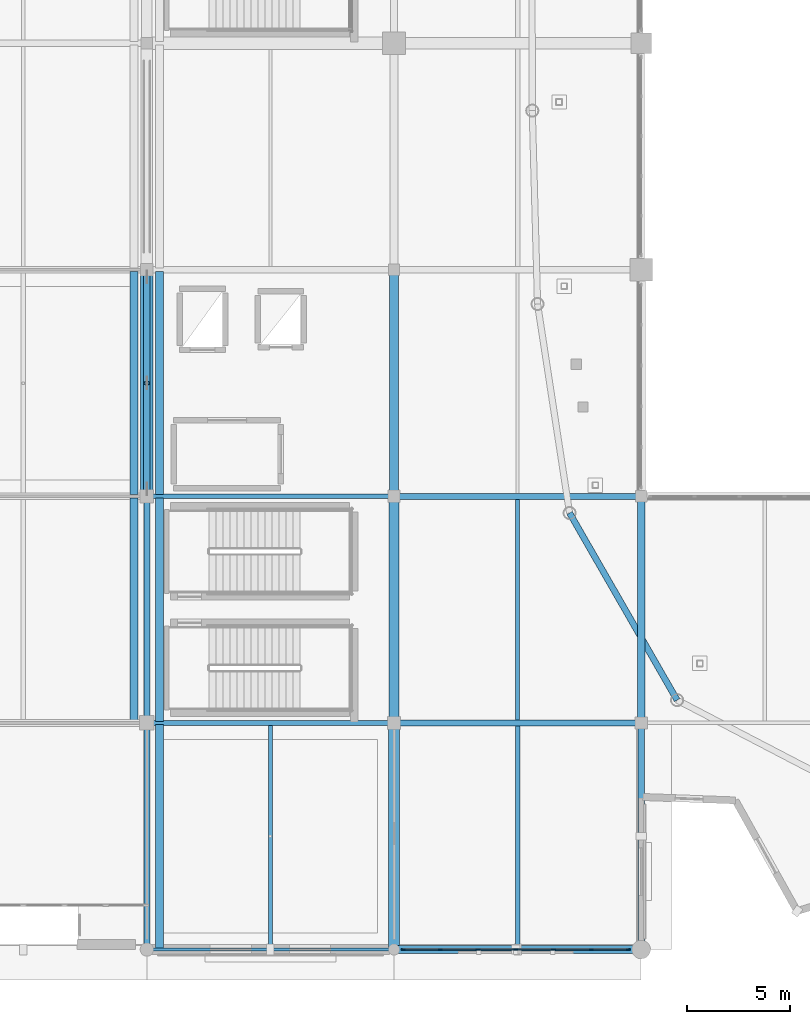
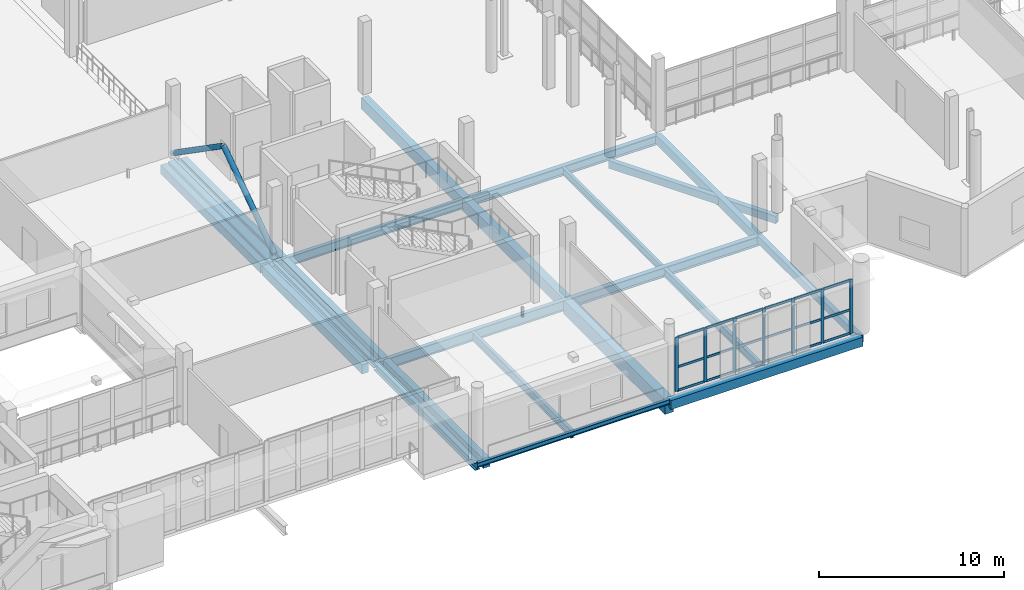
# One storey, part 24 of 143: 27 members, 23 beams, 1 element without a shape of its own.
"""IFC4 building model written with IfcOpenShell, lengths in metres."""

from ifc_helpers import new_model, si_unit, direction, frame, origin, origin_2d, place, context, subcontext, project, spatial, rectangle, hollow_rectangle, hollow_circle, i_section, extrude, material, material_profile, profile_set, type_object, element, aggregate, save


model = new_model("IFC4")

# Units and contexts
model_context = context("Model", 3, precision=1e-05, world=origin(), true_north=direction((0.0, 1.0)))
body_context = subcontext(model_context, "Body", "Model", "MODEL_VIEW")
ifc_project = project(units=[si_unit("LENGTHUNIT", "METRE"), si_unit("AREAUNIT", "SQUARE_METRE"), si_unit("VOLUMEUNIT", "CUBIC_METRE"), si_unit("PLANEANGLEUNIT", "RADIAN"), si_unit("MASSUNIT", "GRAM", prefix="KILO")], contexts=[model_context])

# Site, building, storey
site_placement = place(None, origin())
site = spatial("IfcSite", under=ifc_project, at=site_placement, CompositionType="ELEMENT")
building_placement = place(site_placement, origin())
building = spatial("IfcBuilding", under=site, at=building_placement, Name="Luwafu Chhajja Arena", CompositionType="ELEMENT")
storey_placement = place(building_placement, frame((0.0, 0.0, 5.39990234375)))
storey = spatial("IfcBuildingStorey", under=building, at=storey_placement, Name="L01", CompositionType="ELEMENT", Elevation=5.39990234375)

# Beam
ifc_material_1 = material(Name="Concrete C35/45", Category="concrete")
ifc_material_profile_1 = material_profile(ifc_material_1, rectangle(XDim=0.35009765625, YDim=0.60009765625, at=origin_2d()), Name="RC 350x600")
ifc_profile_set_1 = profile_set([ifc_material_profile_1], Name="Concrete C35/45")
beam_type_1 = type_object("IfcBeamType", Name="Arcade Tie Beam RC 350x600", PredefinedType="BEAM", material=ifc_profile_set_1)
beam_1_placement = place(storey_placement, frame((58.0, 11.0, -0.6298828125), z_axis=(0.0, 1.0, 0.0), x_axis=(-1.0, 0.0, 0.0)))
element("IfcBeam", 1, at=beam_1_placement, inside=storey, type_object=beam_type_1, Name="L01 Grid Beam 6/B-C", PredefinedType="BEAM", context=body_context, shape_type="SweptSolid", body=[
    extrude(rectangle(XDim=0.35009765625, YDim=0.60009765625, at=origin_2d()), origin(), (0.0, 0.0, 1.0), 11.0),
])

# Curtain wall, members
ifc_material_2 = material(Name="Anodised bronze aluminium", Category="aluminium")
curtain_wall_type = type_object("IfcCurtainWallType", Name="Foyer Luwafu Street Curtain Wall", PredefinedType="USERDEFINED", material=ifc_material_2)
curtain_wall_placement = place(storey_placement, origin())
curtain_wall = element("IfcCurtainWall", 2, at=curtain_wall_placement, inside=storey, type_object=curtain_wall_type, Name="L01 Curtain Wall CWG-L01-H04_00", ObjectType="CURTAIN WALL", PredefinedType="USERDEFINED")
ifc_material_profile_2 = material_profile(ifc_material_2, rectangle(XDim=0.06494140625, YDim=0.199951171875, at=origin_2d()), Name="CWM 65x200")
ifc_profile_set_2 = profile_set([ifc_material_profile_2], Name="Anodised bronze aluminium")
member_type_1 = type_object("IfcMemberType", Name="Bronze Curtain Wall Mullion 65x200", PredefinedType="MULLION", material=ifc_profile_set_2)
member_1_placement = place(storey_placement, frame((46.447509765625, 0.0, 0.030029296875), z_axis=(0.0, 0.0, 1.0), x_axis=(0.0, 1.0, 0.0)))
member_1 = element("IfcMember", 3, at=member_1_placement, type_object=member_type_1, Name="CW-05 mullion 1", PredefinedType="MULLION", context=body_context, shape_type="SweptSolid", body=[
    extrude(rectangle(XDim=0.06494140625, YDim=0.199951171875, at=origin_2d()), origin(), (0.0, 0.0, 1.0), 3.56005859375),
])
member_2_placement = place(storey_placement, frame((48.24755859375, 0.0, 0.030029296875), z_axis=(0.0, 0.0, 1.0), x_axis=(0.0, 1.0, 0.0)))
member_2 = element("IfcMember", 4, at=member_2_placement, type_object=member_type_1, Name="CW-05 mullion 2", PredefinedType="MULLION", context=body_context, shape_type="SweptSolid", body=[
    extrude(rectangle(XDim=0.06494140625, YDim=0.199951171875, at=origin_2d()), origin(), (0.0, 0.0, 1.0), 3.56005859375),
])
member_3_placement = place(storey_placement, frame((50.080078125, 0.0, 0.030029296875), z_axis=(0.0, 0.0, 1.0), x_axis=(0.0, 1.0, 0.0)))
member_3 = element("IfcMember", 5, at=member_3_placement, type_object=member_type_1, Name="CW-05 mullion 3", PredefinedType="MULLION", context=body_context, shape_type="SweptSolid", body=[
    extrude(rectangle(XDim=0.06494140625, YDim=0.199951171875, at=origin_2d()), origin(), (0.0, 0.0, 1.0), 3.56005859375),
])
member_4_placement = place(storey_placement, frame((51.91259765625, 0.0, 0.030029296875), z_axis=(0.0, 0.0, 1.0), x_axis=(0.0, 1.0, 0.0)))
member_4 = element("IfcMember", 6, at=member_4_placement, type_object=member_type_1, Name="CW-05 mullion 4", PredefinedType="MULLION", context=body_context, shape_type="SweptSolid", body=[
    extrude(rectangle(XDim=0.06494140625, YDim=0.199951171875, at=origin_2d()), origin(), (0.0, 0.0, 1.0), 3.56005859375),
])
member_5_placement = place(storey_placement, frame((53.7451171875, 0.0, 0.030029296875), z_axis=(0.0, 0.0, 1.0), x_axis=(0.0, 1.0, 0.0)))
member_5 = element("IfcMember", 7, at=member_5_placement, type_object=member_type_1, Name="CW-05 mullion 5", PredefinedType="MULLION", context=body_context, shape_type="SweptSolid", body=[
    extrude(rectangle(XDim=0.06494140625, YDim=0.199951171875, at=origin_2d()), origin(), (0.0, 0.0, 1.0), 3.56005859375),
])
member_6_placement = place(storey_placement, frame((55.577392578125, 0.0, 0.030029296875), z_axis=(0.0, 0.0, 1.0), x_axis=(0.0, 1.0, 0.0)))
member_6 = element("IfcMember", 8, at=member_6_placement, type_object=member_type_1, Name="CW-05 mullion 6", PredefinedType="MULLION", context=body_context, shape_type="SweptSolid", body=[
    extrude(rectangle(XDim=0.06494140625, YDim=0.199951171875, at=origin_2d()), origin(), (0.0, 0.0, 1.0), 3.56005859375),
])
member_7_placement = place(storey_placement, frame((57.37744140625, 0.0, 0.030029296875), z_axis=(0.0, 0.0, 1.0), x_axis=(0.0, 1.0, 0.0)))
member_7 = element("IfcMember", 9, at=member_7_placement, type_object=member_type_1, Name="CW-05 mullion 7", PredefinedType="MULLION", context=body_context, shape_type="SweptSolid", body=[
    extrude(rectangle(XDim=0.06494140625, YDim=0.199951171875, at=origin_2d()), origin(), (0.0, 0.0, 1.0), 3.56005859375),
])
ifc_material_profile_3 = material_profile(ifc_material_2, rectangle(XDim=0.06494140625, YDim=0.14990234375, at=origin_2d()), Name="CWT 65x150")
ifc_profile_set_3 = profile_set([ifc_material_profile_3], Name="Anodised bronze aluminium")
member_type_2 = type_object("IfcMemberType", Name="Bronze Curtain Wall Transom 65x150", PredefinedType="USERDEFINED", material=ifc_profile_set_3)
member_8_placement = place(storey_placement, frame((46.47998046875, 0.0, 0.0625), z_axis=(1.0, 0.0, 0.0), x_axis=(0.0, 1.0, 0.0)))
member_8 = element("IfcMember", 10, at=member_8_placement, type_object=member_type_2, Name="CW-05 transom 1.1", ObjectType="TRANSOM", PredefinedType="USERDEFINED", context=body_context, shape_type="SweptSolid", body=[
    extrude(rectangle(XDim=0.06494140625, YDim=0.14990234375, at=origin_2d()), origin(), (0.0, 0.0, 1.0), 1.735107421875),
])
member_9_placement = place(storey_placement, frame((46.47998046875, 0.0, 1.615478515625), z_axis=(1.0, 0.0, 0.0), x_axis=(0.0, 1.0, 0.0)))
member_9 = element("IfcMember", 11, at=member_9_placement, type_object=member_type_2, Name="CW-05 transom 1.2", ObjectType="TRANSOM", PredefinedType="USERDEFINED", context=body_context, shape_type="SweptSolid", body=[
    extrude(rectangle(XDim=0.06494140625, YDim=0.14990234375, at=origin_2d()), origin(), (0.0, 0.0, 1.0), 1.735107421875),
])
member_10_placement = place(storey_placement, frame((46.47998046875, 0.0, 3.5576171875), z_axis=(1.0, 0.0, 0.0), x_axis=(0.0, 1.0, 0.0)))
member_10 = element("IfcMember", 12, at=member_10_placement, type_object=member_type_2, Name="CW-05 transom 1.3", ObjectType="TRANSOM", PredefinedType="USERDEFINED", context=body_context, shape_type="SweptSolid", body=[
    extrude(rectangle(XDim=0.06494140625, YDim=0.14990234375, at=origin_2d()), origin(), (0.0, 0.0, 1.0), 1.735107421875),
])
member_11_placement = place(storey_placement, frame((48.280029296875, 0.0, 0.0625), z_axis=(1.0, 0.0, 0.0), x_axis=(0.0, 1.0, 0.0)))
member_11 = element("IfcMember", 13, at=member_11_placement, type_object=member_type_2, Name="CW-05 transom 2.1", ObjectType="TRANSOM", PredefinedType="USERDEFINED", context=body_context, shape_type="SweptSolid", body=[
    extrude(rectangle(XDim=0.06494140625, YDim=0.14990234375, at=origin_2d()), origin(), (0.0, 0.0, 1.0), 1.767578125),
])
member_12_placement = place(storey_placement, frame((48.280029296875, 0.0, 1.615478515625), z_axis=(1.0, 0.0, 0.0), x_axis=(0.0, 1.0, 0.0)))
member_12 = element("IfcMember", 14, at=member_12_placement, type_object=member_type_2, Name="CW-05 transom 2.2", ObjectType="TRANSOM", PredefinedType="USERDEFINED", context=body_context, shape_type="SweptSolid", body=[
    extrude(rectangle(XDim=0.06494140625, YDim=0.14990234375, at=origin_2d()), origin(), (0.0, 0.0, 1.0), 1.767578125),
])
member_13_placement = place(storey_placement, frame((48.280029296875, 0.0, 3.5576171875), z_axis=(1.0, 0.0, 0.0), x_axis=(0.0, 1.0, 0.0)))
member_13 = element("IfcMember", 15, at=member_13_placement, type_object=member_type_2, Name="CW-05 transom 2.3", ObjectType="TRANSOM", PredefinedType="USERDEFINED", context=body_context, shape_type="SweptSolid", body=[
    extrude(rectangle(XDim=0.06494140625, YDim=0.14990234375, at=origin_2d()), origin(), (0.0, 0.0, 1.0), 1.767578125),
])
member_14_placement = place(storey_placement, frame((50.112548828125, 0.0, 0.0625), z_axis=(1.0, 0.0, 0.0), x_axis=(0.0, 1.0, 0.0)))
member_14 = element("IfcMember", 16, at=member_14_placement, type_object=member_type_2, Name="CW-05 transom 3.1", ObjectType="TRANSOM", PredefinedType="USERDEFINED", context=body_context, shape_type="SweptSolid", body=[
    extrude(rectangle(XDim=0.06494140625, YDim=0.14990234375, at=origin_2d()), origin(), (0.0, 0.0, 1.0), 1.767333984375),
])
member_15_placement = place(storey_placement, frame((50.112548828125, 0.0, 1.615478515625), z_axis=(1.0, 0.0, 0.0), x_axis=(0.0, 1.0, 0.0)))
member_15 = element("IfcMember", 17, at=member_15_placement, type_object=member_type_2, Name="CW-05 transom 3.2", ObjectType="TRANSOM", PredefinedType="USERDEFINED", context=body_context, shape_type="SweptSolid", body=[
    extrude(rectangle(XDim=0.06494140625, YDim=0.14990234375, at=origin_2d()), origin(), (0.0, 0.0, 1.0), 1.767333984375),
])
member_16_placement = place(storey_placement, frame((50.112548828125, 0.0, 3.5576171875), z_axis=(1.0, 0.0, 0.0), x_axis=(0.0, 1.0, 0.0)))
member_16 = element("IfcMember", 18, at=member_16_placement, type_object=member_type_2, Name="CW-05 transom 3.3", ObjectType="TRANSOM", PredefinedType="USERDEFINED", context=body_context, shape_type="SweptSolid", body=[
    extrude(rectangle(XDim=0.06494140625, YDim=0.14990234375, at=origin_2d()), origin(), (0.0, 0.0, 1.0), 1.767333984375),
])
member_17_placement = place(storey_placement, frame((51.945068359375, 0.0, 0.0625), z_axis=(1.0, 0.0, 0.0), x_axis=(0.0, 1.0, 0.0)))
member_17 = element("IfcMember", 19, at=member_17_placement, type_object=member_type_2, Name="CW-05 transom 4.1", ObjectType="TRANSOM", PredefinedType="USERDEFINED", context=body_context, shape_type="SweptSolid", body=[
    extrude(rectangle(XDim=0.06494140625, YDim=0.14990234375, at=origin_2d()), origin(), (0.0, 0.0, 1.0), 1.767333984375),
])
member_18_placement = place(storey_placement, frame((51.945068359375, 0.0, 1.615478515625), z_axis=(1.0, 0.0, 0.0), x_axis=(0.0, 1.0, 0.0)))
member_18 = element("IfcMember", 20, at=member_18_placement, type_object=member_type_2, Name="CW-05 transom 4.2", ObjectType="TRANSOM", PredefinedType="USERDEFINED", context=body_context, shape_type="SweptSolid", body=[
    extrude(rectangle(XDim=0.06494140625, YDim=0.14990234375, at=origin_2d()), origin(), (0.0, 0.0, 1.0), 1.767333984375),
])
member_19_placement = place(storey_placement, frame((51.945068359375, 0.0, 3.5576171875), z_axis=(1.0, 0.0, 0.0), x_axis=(0.0, 1.0, 0.0)))
member_19 = element("IfcMember", 21, at=member_19_placement, type_object=member_type_2, Name="CW-05 transom 4.3", ObjectType="TRANSOM", PredefinedType="USERDEFINED", context=body_context, shape_type="SweptSolid", body=[
    extrude(rectangle(XDim=0.06494140625, YDim=0.14990234375, at=origin_2d()), origin(), (0.0, 0.0, 1.0), 1.767333984375),
])
member_20_placement = place(storey_placement, frame((53.777587890625, 0.0, 0.0625), z_axis=(1.0, 0.0, 0.0), x_axis=(0.0, 1.0, 0.0)))
member_20 = element("IfcMember", 22, at=member_20_placement, type_object=member_type_2, Name="CW-05 transom 5.1", ObjectType="TRANSOM", PredefinedType="USERDEFINED", context=body_context, shape_type="SweptSolid", body=[
    extrude(rectangle(XDim=0.06494140625, YDim=0.14990234375, at=origin_2d()), origin(), (0.0, 0.0, 1.0), 1.767333984375),
])
member_21_placement = place(storey_placement, frame((53.777587890625, 0.0, 1.615478515625), z_axis=(1.0, 0.0, 0.0), x_axis=(0.0, 1.0, 0.0)))
member_21 = element("IfcMember", 23, at=member_21_placement, type_object=member_type_2, Name="CW-05 transom 5.2", ObjectType="TRANSOM", PredefinedType="USERDEFINED", context=body_context, shape_type="SweptSolid", body=[
    extrude(rectangle(XDim=0.06494140625, YDim=0.14990234375, at=origin_2d()), origin(), (0.0, 0.0, 1.0), 1.767333984375),
])
member_22_placement = place(storey_placement, frame((53.777587890625, 0.0, 3.5576171875), z_axis=(1.0, 0.0, 0.0), x_axis=(0.0, 1.0, 0.0)))
member_22 = element("IfcMember", 24, at=member_22_placement, type_object=member_type_2, Name="CW-05 transom 5.3", ObjectType="TRANSOM", PredefinedType="USERDEFINED", context=body_context, shape_type="SweptSolid", body=[
    extrude(rectangle(XDim=0.06494140625, YDim=0.14990234375, at=origin_2d()), origin(), (0.0, 0.0, 1.0), 1.767333984375),
])
member_23_placement = place(storey_placement, frame((55.610107421875, 0.0, 0.0625), z_axis=(1.0, 0.0, 0.0), x_axis=(0.0, 1.0, 0.0)))
member_23 = element("IfcMember", 25, at=member_23_placement, type_object=member_type_2, Name="CW-05 transom 6.1", ObjectType="TRANSOM", PredefinedType="USERDEFINED", context=body_context, shape_type="SweptSolid", body=[
    extrude(rectangle(XDim=0.06494140625, YDim=0.14990234375, at=origin_2d()), origin(), (0.0, 0.0, 1.0), 1.73486328125),
])
member_24_placement = place(storey_placement, frame((55.610107421875, 0.0, 1.615478515625), z_axis=(1.0, 0.0, 0.0), x_axis=(0.0, 1.0, 0.0)))
member_24 = element("IfcMember", 26, at=member_24_placement, type_object=member_type_2, Name="CW-05 transom 6.2", ObjectType="TRANSOM", PredefinedType="USERDEFINED", context=body_context, shape_type="SweptSolid", body=[
    extrude(rectangle(XDim=0.06494140625, YDim=0.14990234375, at=origin_2d()), origin(), (0.0, 0.0, 1.0), 1.73486328125),
])
member_25_placement = place(storey_placement, frame((55.610107421875, 0.0, 3.5576171875), z_axis=(1.0, 0.0, 0.0), x_axis=(0.0, 1.0, 0.0)))
member_25 = element("IfcMember", 27, at=member_25_placement, type_object=member_type_2, Name="CW-05 transom 6.3", ObjectType="TRANSOM", PredefinedType="USERDEFINED", context=body_context, shape_type="SweptSolid", body=[
    extrude(rectangle(XDim=0.06494140625, YDim=0.14990234375, at=origin_2d()), origin(), (0.0, 0.0, 1.0), 1.73486328125),
])
aggregate(curtain_wall, [member_1, member_2, member_3, member_4, member_5, member_6, member_7, member_8, member_9, member_10, member_11, member_12, member_13, member_14, member_15, member_16, member_17, member_18, member_19, member_20, member_21, member_22, member_23, member_24, member_25])

# Beams
ifc_material_3 = material(Name="Steel S355", Category="steel")
ifc_material_profile_4 = material_profile(ifc_material_3, i_section(OverallWidth=0.165771484375, OverallDepth=0.306640625, WebThickness=0.006591796875, FlangeThickness=0.01171875, at=origin_2d()), Name="UB 305x165x46")
ifc_profile_set_4 = profile_set([ifc_material_profile_4], Name="Steel S355")
beam_type_2 = type_object("IfcBeamType", Name="Concourse Edge Spandrel Beam UB 305x165x46", PredefinedType="SPANDREL", material=ifc_profile_set_4)
beam_2_placement = place(storey_placement, frame((34.0, 0.0, -0.483154296875), z_axis=(1.0, 0.0, 0.0), x_axis=(0.0, 1.0, 0.0)))
element("IfcBeam", 28, at=beam_2_placement, inside=storey, type_object=beam_type_2, Name="L01 Grid Beam 4-5/A", PredefinedType="SPANDREL", context=body_context, shape_type="SweptSolid", body=[
    extrude(i_section(OverallWidth=0.165771484375, OverallDepth=0.306640625, WebThickness=0.006591796875, FlangeThickness=0.01171875, at=origin_2d()), origin(), (0.0, 0.0, 1.0), 12.0),
])
ifc_material_profile_5 = material_profile(ifc_material_1, rectangle(XDim=0.60009765625, YDim=0.89990234375, at=origin_2d()), Name="RC 600x900")
ifc_profile_set_5 = profile_set([ifc_material_profile_5], Name="Concrete C35/45")
beam_type_3 = type_object("IfcBeamType", Name="Concourse Primary Girder RC 600x900", PredefinedType="BEAM", material=ifc_profile_set_5)
beam_3_placement = place(storey_placement, frame((34.0, 22.0, -0.77978515625), z_axis=(0.0, 1.0, 0.0), x_axis=(-1.0, 0.0, 0.0)))
element("IfcBeam", 29, at=beam_3_placement, inside=storey, type_object=beam_type_3, Name="L01 Grid Beam 4/C-D", PredefinedType="BEAM", context=body_context, shape_type="SweptSolid", body=[
    extrude(rectangle(XDim=0.60009765625, YDim=0.89990234375, at=origin_2d()), origin(), (0.0, 0.0, 1.0), 11.0),
])
ifc_material_profile_6 = material_profile(ifc_material_1, rectangle(XDim=0.550048828125, YDim=0.949951171875, at=origin_2d()), Name="RC 550x950")
ifc_profile_set_6 = profile_set([ifc_material_profile_6], Name="Concrete C35/45")
beam_type_4 = type_object("IfcBeamType", Name="Concourse Radial Girder RC 550x950", PredefinedType="BEAM", material=ifc_profile_set_6)
beam_4_placement = place(storey_placement, frame((46.0, 0.0, -0.804931640625), z_axis=(0.0, 1.0, 0.0), x_axis=(-1.0, 0.0, 0.0)))
element("IfcBeam", 30, at=beam_4_placement, inside=storey, type_object=beam_type_4, Name="L01 Grid Beam 5/A-B", PredefinedType="BEAM", context=body_context, shape_type="SweptSolid", body=[
    extrude(rectangle(XDim=0.550048828125, YDim=0.949951171875, at=origin_2d()), origin(), (0.0, 0.0, 1.0), 11.0),
])

# Members
ifc_material_profile_7 = material_profile(ifc_material_3, hollow_circle(Radius=0.161865234375, WallThickness=0.012451171875, at=origin_2d()), Name="CHS 323.9x12.5")
ifc_profile_set_7 = profile_set([ifc_material_profile_7], Name="Steel S355")
member_type_3 = type_object("IfcMemberType", Name="Drum Lateral Chevron Brace CHS 324", PredefinedType="BRACE", material=ifc_profile_set_7)
for number, where, z_axis, x_axis, name in (
    (31, (34.0, 22.0, 0.1201171875), (0.0, 0.821685023765, 0.569941858192), (-1.0, 0.0, 0.0), "L01 Lateral Chevron Brace 03A"),
    (32, (34.0, 33.0, 0.1201171875), (0.0, -0.821685023765, 0.569941858192), (1.0, 0.0, 0.0), "L01 Lateral Chevron Brace 03B"),
):
    element("IfcMember", number, at=place(storey_placement, frame(where, z_axis=z_axis, x_axis=x_axis)), inside=storey, type_object=member_type_3, Name=name, PredefinedType="BRACE", context=body_context, shape_type="SweptSolid", body=[
        extrude(hollow_circle(Radius=0.161865234375, WallThickness=0.012451171875, at=origin_2d()), origin(), (0.0, 0.0, 1.0), 6.693603515625),
    ])

# Beams
ifc_material_profile_8 = material_profile(ifc_material_3, i_section(OverallWidth=0.19140625, OverallDepth=0.4599609375, WebThickness=0.010009765625, FlangeThickness=0.01611328125, at=origin_2d()), Name="UB 457x191x82")
ifc_profile_set_8 = profile_set([ifc_material_profile_8], Name="Steel S355")
beam_type_5 = type_object("IfcBeamType", Name="Floor Joist UB 457x191x82", PredefinedType="JOIST", material=ifc_profile_set_8)
beam_5_placement = place(storey_placement, frame((52.0, 11.153564453125, -0.559814453125), z_axis=(0.0, 1.0, 0.0), x_axis=(-1.0, 0.0, 0.0)))
element("IfcBeam", 33, at=beam_5_placement, inside=storey, type_object=beam_type_5, Name="L01 Secondary Joist 5-6/B", PredefinedType="JOIST", context=body_context, shape_type="SweptSolid", body=[
    extrude(i_section(OverallWidth=0.19140625, OverallDepth=0.4599609375, WebThickness=0.010009765625, FlangeThickness=0.01611328125, at=origin_2d()), origin(), (0.0, 0.0, 1.0), 10.696533203125),
])
ifc_material_profile_9 = material_profile(ifc_material_3, i_section(OverallWidth=0.2099609375, OverallDepth=0.53662109375, WebThickness=0.0107421875, FlangeThickness=0.017333984375, at=origin_2d()), Name="UB 533x210x101")
ifc_profile_set_9 = profile_set([ifc_material_profile_9], Name="Steel S355")
beam_type_6 = type_object("IfcBeamType", Name="Floor Joist UB 533x210x101", PredefinedType="JOIST", material=ifc_profile_set_9)
beam_6_placement = place(storey_placement, frame((40.0, 0.082763671875, -0.59814453125), z_axis=(0.0, 1.0, 0.0), x_axis=(-1.0, 0.0, 0.0)))
element("IfcBeam", 34, at=beam_6_placement, inside=storey, type_object=beam_type_6, Name="L01 Secondary Joist 4-5/A", PredefinedType="JOIST", context=body_context, shape_type="SweptSolid", body=[
    extrude(i_section(OverallWidth=0.2099609375, OverallDepth=0.53662109375, WebThickness=0.0107421875, FlangeThickness=0.017333984375, at=origin_2d()), origin(), (0.0, 0.0, 1.0), 10.79052734375),
])
ifc_material_profile_10 = material_profile(ifc_material_3, i_section(OverallWidth=0.209228515625, OverallDepth=0.533203125, WebThickness=0.010009765625, FlangeThickness=0.015625, at=origin_2d()), Name="UB 533x210x92")
ifc_profile_set_10 = profile_set([ifc_material_profile_10], Name="Steel S355")
beam_type_7 = type_object("IfcBeamType", Name="Floor Joist UB 533x210x92", PredefinedType="JOIST", material=ifc_profile_set_10)
beam_7_placement = place(storey_placement, frame((52.0, 0.199951171875, -0.596435546875), z_axis=(0.0, 1.0, 0.0), x_axis=(-1.0, 0.0, 0.0)))
element("IfcBeam", 35, at=beam_7_placement, inside=storey, type_object=beam_type_7, Name="L01 Secondary Joist 5-6/A", PredefinedType="JOIST", context=body_context, shape_type="SweptSolid", body=[
    extrude(i_section(OverallWidth=0.209228515625, OverallDepth=0.533203125, WebThickness=0.010009765625, FlangeThickness=0.015625, at=origin_2d()), origin(), (0.0, 0.0, 1.0), 10.646484375),
])
ifc_material_profile_11 = material_profile(ifc_material_1, rectangle(XDim=0.5, YDim=0.800048828125, at=origin_2d()), Name="RC 500x800")
ifc_profile_set_11 = profile_set([ifc_material_profile_11], Name="Concrete C35/45")
beam_type_8 = type_object("IfcBeamType", Name="Hospitality Primary Beam RC 500x800", PredefinedType="BEAM", material=ifc_profile_set_11)
beam_8_placement = place(storey_placement, frame((46.0, 11.0, -0.72998046875), z_axis=(0.0, 1.0, 0.0), x_axis=(-1.0, 0.0, 0.0)))
element("IfcBeam", 36, at=beam_8_placement, inside=storey, type_object=beam_type_8, Name="L01 Grid Beam 5/B-C", PredefinedType="BEAM", context=body_context, shape_type="SweptSolid", body=[
    extrude(rectangle(XDim=0.5, YDim=0.800048828125, at=origin_2d()), origin(), (0.0, 0.0, 1.0), 11.0),
])
ifc_material_profile_12 = material_profile(ifc_material_3, hollow_rectangle(XDim=0.300048828125, YDim=0.5, WallThickness=0.02001953125, at=origin_2d()), Name="RHS 500x300x20")
ifc_profile_set_12 = profile_set([ifc_material_profile_12], Name="Steel S355")
beam_type_9 = type_object("IfcBeamType", Name="Pleated Drum Spandrel Beam RHS 500x300", PredefinedType="SPANDREL", material=ifc_profile_set_12)
beam_9_placement = place(storey_placement, frame((58.0, 0.0, -0.579833984375), z_axis=(0.0, 1.0, 0.0), x_axis=(-1.0, 0.0, 0.0)))
element("IfcBeam", 37, at=beam_9_placement, inside=storey, type_object=beam_type_9, Name="L01 Grid Beam 6/A-B", PredefinedType="SPANDREL", context=body_context, shape_type="SweptSolid", body=[
    extrude(hollow_rectangle(XDim=0.300048828125, YDim=0.5, WallThickness=0.02001953125, at=origin_2d()), origin(), (0.0, 0.0, 1.0), 11.0),
])
beam_10_placement = place(storey_placement, frame((54.52392578125, 21.194091796875, -0.579833984375), z_axis=(0.498192671921, -0.867066353657, 0.0), x_axis=(0.867066353657, 0.498192671921, 0.0)))
element("IfcBeam", 38, at=beam_10_placement, inside=storey, type_object=beam_type_9, Name="L01 Drum Ring Spandrel D20-D21", PredefinedType="SPANDREL", context=body_context, shape_type="SweptSolid", body=[
    extrude(hollow_rectangle(XDim=0.300048828125, YDim=0.5, WallThickness=0.02001953125, at=origin_2d()), origin(), (0.0, 0.0, 1.0), 10.477783203125),
])
ifc_material_profile_13 = material_profile(ifc_material_1, rectangle(XDim=0.39990234375, YDim=0.60009765625, at=origin_2d()), Name="RC 400x600")
ifc_profile_set_13 = profile_set([ifc_material_profile_13], Name="Concrete C35/45")
beam_type_10 = type_object("IfcBeamType", Name="Podium Perimeter Spandrel RC 400x600", PredefinedType="SPANDREL", material=ifc_profile_set_13)
beam_11_placement = place(storey_placement, frame((46.0, 0.0, -0.6298828125), z_axis=(1.0, 0.0, 0.0), x_axis=(0.0, 1.0, 0.0)))
element("IfcBeam", 39, at=beam_11_placement, inside=storey, type_object=beam_type_10, Name="L01 Grid Beam 5-6/A", PredefinedType="SPANDREL", context=body_context, shape_type="SweptSolid", body=[
    extrude(rectangle(XDim=0.39990234375, YDim=0.60009765625, at=origin_2d()), origin(), (0.0, 0.0, 1.0), 12.0),
])
for number, where, z_axis, x_axis, name in (
    (40, (33.3798828125, 11.080078125, -0.6298828125), (0.0, 1.0, 0.0), (-1.0, 0.0, 0.0), "L01 Movement Joint MJ1W Seat Girder 01"),
    (41, (33.3798828125, 22.080078125, -0.6298828125), (0.0, 1.0, 0.0), (-1.0, 0.0, 0.0), "L01 Movement Joint MJ1W Seat Girder 02"),
    (42, (34.6201171875, 0.080078125, -0.6298828125), (0.0, 1.0, 0.0), (-1.0, 0.0, 0.0), "L01 Movement Joint MJ1E Seat Girder 00"),
    (43, (34.6201171875, 11.080078125, -0.6298828125), (0.0, 1.0, 0.0), (-1.0, 0.0, 0.0), "L01 Movement Joint MJ1E Seat Girder 01"),
    (44, (34.6201171875, 22.080078125, -0.6298828125), (0.0, 1.0, 0.0), (-1.0, 0.0, 0.0), "L01 Movement Joint MJ1E Seat Girder 02"),
):
    element("IfcBeam", number, at=place(storey_placement, frame(where, z_axis=z_axis, x_axis=x_axis)), inside=storey, type_object=beam_type_10, Name=name, PredefinedType="SPANDREL", context=body_context, shape_type="SweptSolid", body=[
        extrude(rectangle(XDim=0.39990234375, YDim=0.60009765625, at=origin_2d()), origin(), (0.0, 0.0, 1.0), 10.83984375),
    ])
ifc_material_profile_14 = material_profile(ifc_material_3, i_section(OverallWidth=0.300048828125, OverallDepth=0.5, WebThickness=0.014404296875, FlangeThickness=0.028076171875, at=origin_2d()), Name="HEB 500")
ifc_profile_set_14 = profile_set([ifc_material_profile_14], Name="Steel S355")
beam_type_11 = type_object("IfcBeamType", Name="Steel Atrium Tie Girder HEB 500", PredefinedType="BEAM", material=ifc_profile_set_14)
beam_12_placement = place(storey_placement, frame((34.0, 0.0, -0.579833984375), z_axis=(0.0, 1.0, 0.0), x_axis=(-1.0, 0.0, 0.0)))
element("IfcBeam", 45, at=beam_12_placement, inside=storey, type_object=beam_type_11, Name="L01 Grid Beam 4/A-B", PredefinedType="BEAM", context=body_context, shape_type="SweptSolid", body=[
    extrude(i_section(OverallWidth=0.300048828125, OverallDepth=0.5, WebThickness=0.014404296875, FlangeThickness=0.028076171875, at=origin_2d()), origin(), (0.0, 0.0, 1.0), 11.0),
])
ifc_material_profile_15 = material_profile(ifc_material_3, i_section(OverallWidth=0.253662109375, OverallDepth=0.68359375, WebThickness=0.012451171875, FlangeThickness=0.01904296875, at=origin_2d()), Name="UB 686x254x140")
ifc_profile_set_15 = profile_set([ifc_material_profile_15], Name="Steel S355")
beam_type_12 = type_object("IfcBeamType", Name="Steel Concourse Girder UB 686x254x140", PredefinedType="BEAM", material=ifc_profile_set_15)
beam_13_placement = place(storey_placement, frame((34.0, 11.0, -0.671630859375), z_axis=(1.0, 0.0, 0.0), x_axis=(0.0, 1.0, 0.0)))
element("IfcBeam", 46, at=beam_13_placement, inside=storey, type_object=beam_type_12, Name="L01 Grid Beam 4-5/B", PredefinedType="BEAM", context=body_context, shape_type="SweptSolid", body=[
    extrude(i_section(OverallWidth=0.253662109375, OverallDepth=0.68359375, WebThickness=0.012451171875, FlangeThickness=0.01904296875, at=origin_2d()), origin(), (0.0, 0.0, 1.0), 12.0),
])
ifc_material_profile_16 = material_profile(ifc_material_3, i_section(OverallWidth=0.300048828125, OverallDepth=0.60009765625, WebThickness=0.015380859375, FlangeThickness=0.030029296875, at=origin_2d()), Name="HEB 600")
ifc_profile_set_16 = profile_set([ifc_material_profile_16], Name="Steel S355")
beam_type_13 = type_object("IfcBeamType", Name="Steel Gallery Girder HEB 600", PredefinedType="BEAM", material=ifc_profile_set_16)
beam_14_placement = place(storey_placement, frame((46.0, 22.0, -0.6298828125), z_axis=(1.0, 0.0, 0.0), x_axis=(0.0, 1.0, 0.0)))
element("IfcBeam", 47, at=beam_14_placement, inside=storey, type_object=beam_type_13, Name="L01 Grid Beam 5-6/C", PredefinedType="BEAM", context=body_context, shape_type="SweptSolid", body=[
    extrude(i_section(OverallWidth=0.300048828125, OverallDepth=0.60009765625, WebThickness=0.015380859375, FlangeThickness=0.030029296875, at=origin_2d()), origin(), (0.0, 0.0, 1.0), 12.0),
])
ifc_material_profile_17 = material_profile(ifc_material_3, i_section(OverallWidth=0.30712890625, OverallDepth=0.6201171875, WebThickness=0.01416015625, FlangeThickness=0.023681640625, at=origin_2d()), Name="UB 610x305x179")
ifc_profile_set_17 = profile_set([ifc_material_profile_17], Name="Steel S355")
beam_type_14 = type_object("IfcBeamType", Name="Steel Hospitality Girder UB 610x305x179", PredefinedType="BEAM", material=ifc_profile_set_17)
beam_15_placement = place(storey_placement, frame((46.0, 11.0, -0.639892578125), z_axis=(1.0, 0.0, 0.0), x_axis=(0.0, 1.0, 0.0)))
element("IfcBeam", 48, at=beam_15_placement, inside=storey, type_object=beam_type_14, Name="L01 Grid Beam 5-6/B", PredefinedType="BEAM", context=body_context, shape_type="SweptSolid", body=[
    extrude(i_section(OverallWidth=0.30712890625, OverallDepth=0.6201171875, WebThickness=0.01416015625, FlangeThickness=0.023681640625, at=origin_2d()), origin(), (0.0, 0.0, 1.0), 12.0),
])
ifc_material_profile_18 = material_profile(ifc_material_3, i_section(OverallWidth=0.22900390625, OverallDepth=0.6123046875, WebThickness=0.011962890625, FlangeThickness=0.01953125, at=origin_2d()), Name="UB 610x229x125")
ifc_profile_set_18 = profile_set([ifc_material_profile_18], Name="Steel S355")
beam_type_15 = type_object("IfcBeamType", Name="Steel Mezzanine Girder UB 610x229x125", PredefinedType="BEAM", material=ifc_profile_set_18)
beam_16_placement = place(storey_placement, frame((34.0, 22.0, -0.635986328125), z_axis=(1.0, 0.0, 0.0), x_axis=(0.0, 1.0, 0.0)))
element("IfcBeam", 49, at=beam_16_placement, inside=storey, type_object=beam_type_15, Name="L01 Grid Beam 4-5/C", PredefinedType="BEAM", context=body_context, shape_type="SweptSolid", body=[
    extrude(i_section(OverallWidth=0.22900390625, OverallDepth=0.6123046875, WebThickness=0.011962890625, FlangeThickness=0.01953125, at=origin_2d()), origin(), (0.0, 0.0, 1.0), 12.0),
])
ifc_material_profile_19 = material_profile(ifc_material_3, i_section(OverallWidth=0.300048828125, OverallDepth=0.39990234375, WebThickness=0.013427734375, FlangeThickness=0.02392578125, at=origin_2d()), Name="HEB 400")
ifc_profile_set_19 = profile_set([ifc_material_profile_19], Name="Steel S355")
beam_type_16 = type_object("IfcBeamType", Name="Steel Rigging Grid Beam HEB 400", PredefinedType="BEAM", material=ifc_profile_set_19)
beam_17_placement = place(storey_placement, frame((34.0, 11.0, -0.52978515625), z_axis=(0.0, 1.0, 0.0), x_axis=(-1.0, 0.0, 0.0)))
element("IfcBeam", 50, at=beam_17_placement, inside=storey, type_object=beam_type_16, Name="L01 Grid Beam 4/B-C", PredefinedType="BEAM", context=body_context, shape_type="SweptSolid", body=[
    extrude(i_section(OverallWidth=0.300048828125, OverallDepth=0.39990234375, WebThickness=0.013427734375, FlangeThickness=0.02392578125, at=origin_2d()), origin(), (0.0, 0.0, 1.0), 11.0),
])
ifc_material_profile_20 = material_profile(ifc_material_1, rectangle(XDim=0.449951171875, YDim=0.75, at=origin_2d()), Name="RC 450x750")
ifc_profile_set_20 = profile_set([ifc_material_profile_20], Name="Concrete C35/45")
beam_type_17 = type_object("IfcBeamType", Name="Wing Primary Beam RC 450x750", PredefinedType="BEAM", material=ifc_profile_set_20)
beam_18_placement = place(storey_placement, frame((46.0, 22.0, -0.704833984375), z_axis=(0.0, 1.0, 0.0), x_axis=(-1.0, 0.0, 0.0)))
element("IfcBeam", 51, at=beam_18_placement, inside=storey, type_object=beam_type_17, Name="L01 Grid Beam 5/C-D", PredefinedType="BEAM", context=body_context, shape_type="SweptSolid", body=[
    extrude(rectangle(XDim=0.449951171875, YDim=0.75, at=origin_2d()), origin(), (0.0, 0.0, 1.0), 11.0),
])

save(model, "model.ifc")
